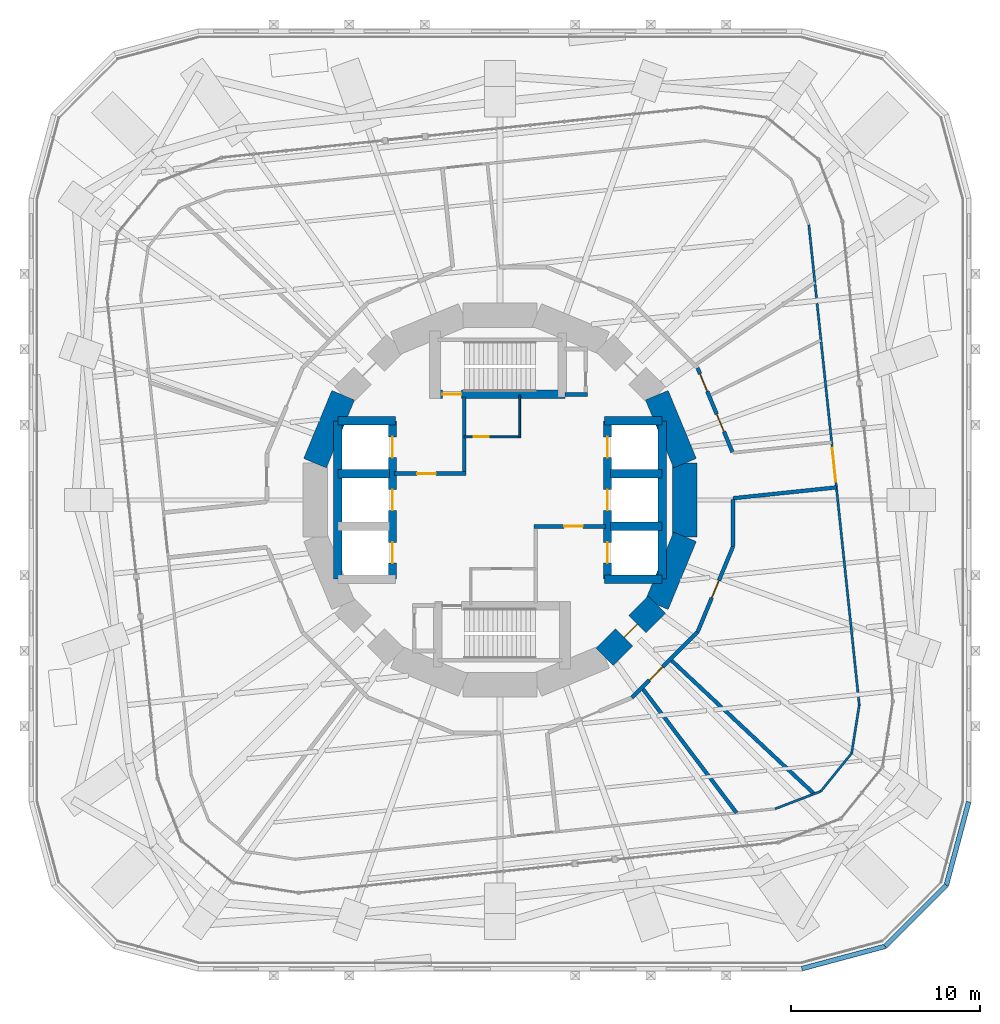
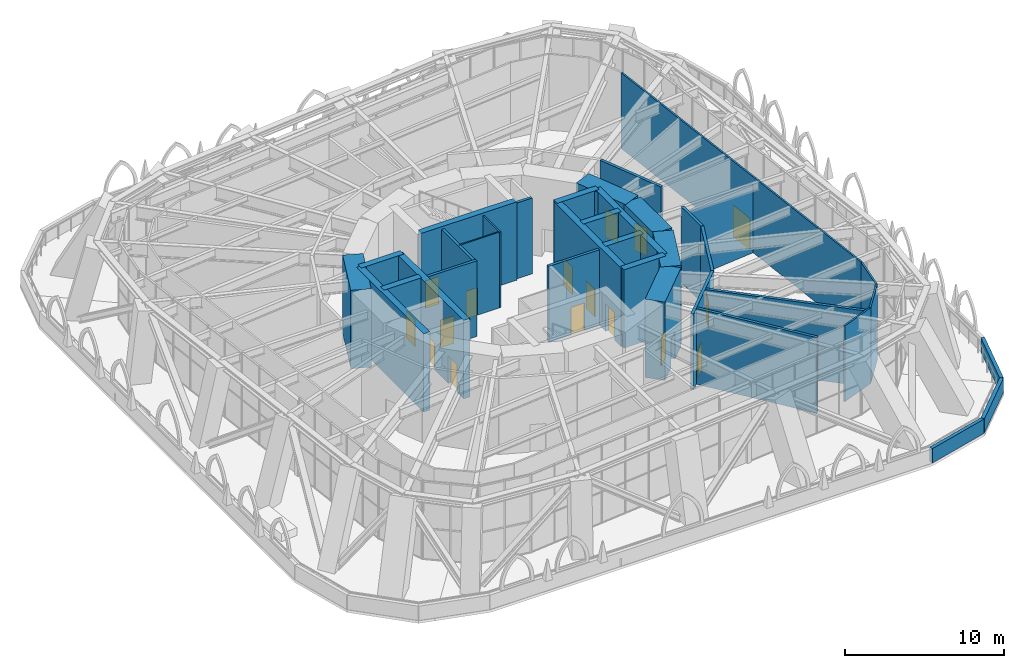
# One storey, part 16 of 20: 36 walls, 16 doors, 16 openings.
"""IFC4 building model written with IfcOpenShell, lengths in metres."""

from ifc_helpers import new_model, si_unit, direction, frame, frame_2d, origin, place, context, subcontext, project, spatial, rectangle, extrude, material, layer, layer_set, type_object, element, fill, save


model = new_model("IFC4")

# Units and contexts
model_context = context("Model", 3, precision=1e-05, world=origin(), true_north=direction((0.0, 1.0)))
body_context = subcontext(model_context, "Body", "Model", "MODEL_VIEW")
ifc_project = project(units=[si_unit("LENGTHUNIT", "METRE"), si_unit("AREAUNIT", "SQUARE_METRE"), si_unit("VOLUMEUNIT", "CUBIC_METRE"), si_unit("PLANEANGLEUNIT", "RADIAN"), si_unit("MASSUNIT", "GRAM", prefix="KILO")], contexts=[model_context])

# Site, building, storey
site_placement = place(None, origin())
site = spatial("IfcSite", under=ifc_project, at=site_placement, CompositionType="ELEMENT")
building_placement = place(site_placement, origin())
building = spatial("IfcBuilding", under=site, at=building_placement, Name="Nakasero Lantern House", CompositionType="ELEMENT")
storey_placement = place(building_placement, frame((0.0, 0.0, 54.5)))
storey = spatial("IfcBuildingStorey", under=building, at=storey_placement, Name="L13", CompositionType="ELEMENT", Elevation=54.5)

# Wall, openings, doors
ifc_material_1 = material(Name="Concrete C50/60", Category="concrete")
ifc_layer_1 = layer(ifc_material_1, 0.449951171875)
ifc_layer_set_1 = layer_set([ifc_layer_1], Name="Core inner wall 450")
wall_type_1 = type_object("IfcWallType", Name="Core inner wall 450", PredefinedType="SHEAR", material=ifc_layer_set_1)
wall_1_placement = place(storey_placement, frame((-5.699951171875, -4.199951171875, 0.0), z_axis=(0.0, 0.0, 1.0), x_axis=(0.0, 1.0, 0.0)))
wall_1 = element("IfcWall", 1, at=wall_1_placement, inside=storey, type_object=wall_type_1, Name="Core inner wall L13 LW", PredefinedType="SHEAR", context=body_context, shape_type="SweptSolid", body=[
    extrude(rectangle(XDim=8.39990234375, YDim=0.449951171875, at=frame_2d((4.199951171875, 0.0))), origin(), (0.0, 0.0, 1.0), 6.0),
])
opening_1_placement = place(wall_1_placement, frame((0.85009765625, 0.0, 0.0)))
opening_1 = element("IfcOpeningElement", 2, at=opening_1_placement, cuts=wall_1, Name="Opening LD", PredefinedType="OPENING", context=body_context, shape_type="SweptSolid", body=[
    extrude(rectangle(XDim=1.10009765625, YDim=2.10009765625, at=frame_2d((0.550048828125, 1.050048828125))), frame((0.0, 0.244873046875, 0.0), z_axis=(0.0, -1.0, 0.0), x_axis=(1.0, 0.0, 0.0)), (0.0, 0.0, 1.0), 0.489990234375),
])
opening_2_placement = place(wall_1_placement, frame((3.64990234375, 0.0, 0.0)))
opening_2 = element("IfcOpeningElement", 3, at=opening_2_placement, cuts=wall_1, Name="Opening LD", PredefinedType="OPENING", context=body_context, shape_type="SweptSolid", body=[
    extrude(rectangle(XDim=1.10009765625, YDim=2.10009765625, at=frame_2d((0.550048828125, 1.050048828125))), frame((0.0, 0.244873046875, 0.0), z_axis=(0.0, -1.0, 0.0), x_axis=(1.0, 0.0, 0.0)), (0.0, 0.0, 1.0), 0.489990234375),
])
opening_3_placement = place(wall_1_placement, frame((6.449951171875, 0.0, 0.0)))
opening_3 = element("IfcOpeningElement", 4, at=opening_3_placement, cuts=wall_1, Name="Opening LD", PredefinedType="OPENING", context=body_context, shape_type="SweptSolid", body=[
    extrude(rectangle(XDim=1.10009765625, YDim=2.10009765625, at=frame_2d((0.550048828125, 1.050048828125))), frame((0.0, 0.244873046875, 0.0), z_axis=(0.0, -1.0, 0.0), x_axis=(1.0, 0.0, 0.0)), (0.0, 0.0, 1.0), 0.489990234375),
])
ifc_material_2 = material(Name="Steel S355", Category="steel")
door_type_1 = type_object("IfcDoorType", Name="Lift landing door E120 1100", OperationType="SLIDING_TO_LEFT", PredefinedType="DOOR", material=ifc_material_2)
door_1_placement = place(opening_1_placement, origin())
door_1 = element("IfcDoor", 5, at=door_1_placement, inside=storey, type_object=door_type_1, Name="Lift landing door LW1", OperationType="SLIDING_TO_LEFT", OverallHeight=2.10009765625, OverallWidth=1.10009765625, PredefinedType="DOOR", context=body_context, shape_type="SweptSolid", body=[
    extrude(rectangle(XDim=1.10009765625, YDim=2.10009765625, at=frame_2d((0.550048828125, 1.050048828125))), frame((0.0, 0.02490234375, 0.0), z_axis=(0.0, -1.0, 0.0), x_axis=(1.0, 0.0, 0.0)), (0.0, 0.0, 1.0), 0.050048828125),
])
fill(opening_1, door_1)
door_2_placement = place(opening_2_placement, origin())
door_2 = element("IfcDoor", 6, at=door_2_placement, inside=storey, type_object=door_type_1, Name="Lift landing door LW2", OperationType="SLIDING_TO_LEFT", OverallHeight=2.10009765625, OverallWidth=1.10009765625, PredefinedType="DOOR", context=body_context, shape_type="SweptSolid", body=[
    extrude(rectangle(XDim=1.10009765625, YDim=2.10009765625, at=frame_2d((0.550048828125, 1.050048828125))), frame((0.0, 0.02490234375, 0.0), z_axis=(0.0, -1.0, 0.0), x_axis=(1.0, 0.0, 0.0)), (0.0, 0.0, 1.0), 0.050048828125),
])
fill(opening_2, door_2)
door_3_placement = place(opening_3_placement, origin())
door_3 = element("IfcDoor", 7, at=door_3_placement, inside=storey, type_object=door_type_1, Name="Lift landing door LW3", OperationType="SLIDING_TO_LEFT", OverallHeight=2.10009765625, OverallWidth=1.10009765625, PredefinedType="DOOR", context=body_context, shape_type="SweptSolid", body=[
    extrude(rectangle(XDim=1.10009765625, YDim=2.10009765625, at=frame_2d((0.550048828125, 1.050048828125))), frame((0.0, 0.02490234375, 0.0), z_axis=(0.0, -1.0, 0.0), x_axis=(1.0, 0.0, 0.0)), (0.0, 0.0, 1.0), 0.050048828125),
])
fill(opening_3, door_3)

wall_2_placement = place(storey_placement, frame((5.699951171875, -4.199951171875, 0.0), z_axis=(0.0, 0.0, 1.0), x_axis=(0.0, 1.0, 0.0)))
wall_2 = element("IfcWall", 8, at=wall_2_placement, inside=storey, type_object=wall_type_1, Name="Core inner wall L13 LE", PredefinedType="SHEAR", context=body_context, shape_type="SweptSolid", body=[
    extrude(rectangle(XDim=8.39990234375, YDim=0.449951171875, at=frame_2d((4.199951171875, 0.0))), origin(), (0.0, 0.0, 1.0), 6.0),
])
opening_4_placement = place(wall_2_placement, frame((0.85009765625, 0.0, 0.0)))
opening_4 = element("IfcOpeningElement", 9, at=opening_4_placement, cuts=wall_2, Name="Opening LD", PredefinedType="OPENING", context=body_context, shape_type="SweptSolid", body=[
    extrude(rectangle(XDim=1.10009765625, YDim=2.10009765625, at=frame_2d((0.550048828125, 1.050048828125))), frame((0.0, 0.244873046875, 0.0), z_axis=(0.0, -1.0, 0.0), x_axis=(1.0, 0.0, 0.0)), (0.0, 0.0, 1.0), 0.489990234375),
])
opening_5_placement = place(wall_2_placement, frame((3.64990234375, 0.0, 0.0)))
opening_5 = element("IfcOpeningElement", 10, at=opening_5_placement, cuts=wall_2, Name="Opening LD", PredefinedType="OPENING", context=body_context, shape_type="SweptSolid", body=[
    extrude(rectangle(XDim=1.10009765625, YDim=2.10009765625, at=frame_2d((0.550048828125, 1.050048828125))), frame((0.0, 0.244873046875, 0.0), z_axis=(0.0, -1.0, 0.0), x_axis=(1.0, 0.0, 0.0)), (0.0, 0.0, 1.0), 0.489990234375),
])
opening_6_placement = place(wall_2_placement, frame((6.449951171875, 0.0, 0.0)))
opening_6 = element("IfcOpeningElement", 11, at=opening_6_placement, cuts=wall_2, Name="Opening LD", PredefinedType="OPENING", context=body_context, shape_type="SweptSolid", body=[
    extrude(rectangle(XDim=1.10009765625, YDim=2.10009765625, at=frame_2d((0.550048828125, 1.050048828125))), frame((0.0, 0.244873046875, 0.0), z_axis=(0.0, -1.0, 0.0), x_axis=(1.0, 0.0, 0.0)), (0.0, 0.0, 1.0), 0.489990234375),
])
door_4_placement = place(opening_4_placement, origin())
door_4 = element("IfcDoor", 12, at=door_4_placement, inside=storey, type_object=door_type_1, Name="Lift landing door LE1", OperationType="SLIDING_TO_LEFT", OverallHeight=2.10009765625, OverallWidth=1.10009765625, PredefinedType="DOOR", context=body_context, shape_type="SweptSolid", body=[
    extrude(rectangle(XDim=1.10009765625, YDim=2.10009765625, at=frame_2d((0.550048828125, 1.050048828125))), frame((0.0, 0.02490234375, 0.0), z_axis=(0.0, -1.0, 0.0), x_axis=(1.0, 0.0, 0.0)), (0.0, 0.0, 1.0), 0.050048828125),
])
fill(opening_4, door_4)
door_5_placement = place(opening_5_placement, origin())
door_5 = element("IfcDoor", 13, at=door_5_placement, inside=storey, type_object=door_type_1, Name="Lift landing door LE2", OperationType="SLIDING_TO_LEFT", OverallHeight=2.10009765625, OverallWidth=1.10009765625, PredefinedType="DOOR", context=body_context, shape_type="SweptSolid", body=[
    extrude(rectangle(XDim=1.10009765625, YDim=2.10009765625, at=frame_2d((0.550048828125, 1.050048828125))), frame((0.0, 0.02490234375, 0.0), z_axis=(0.0, -1.0, 0.0), x_axis=(1.0, 0.0, 0.0)), (0.0, 0.0, 1.0), 0.050048828125),
])
fill(opening_5, door_5)
door_6_placement = place(opening_6_placement, origin())
door_6 = element("IfcDoor", 14, at=door_6_placement, inside=storey, type_object=door_type_1, Name="Lift landing door LE3", OperationType="SLIDING_TO_LEFT", OverallHeight=2.10009765625, OverallWidth=1.10009765625, PredefinedType="DOOR", context=body_context, shape_type="SweptSolid", body=[
    extrude(rectangle(XDim=1.10009765625, YDim=2.10009765625, at=frame_2d((0.550048828125, 1.050048828125))), frame((0.0, 0.02490234375, 0.0), z_axis=(0.0, -1.0, 0.0), x_axis=(1.0, 0.0, 0.0)), (0.0, 0.0, 1.0), 0.050048828125),
])
fill(opening_6, door_6)

# Walls
for number, where, z_axis, x_axis, name in (
    (15, (-8.60009765625, 4.199951171875, 0.0), (0.0, 0.0, 1.0), (1.0, 0.0, 0.0), "Core inner wall L13 LWN"),
    (16, (5.550048828125, 4.199951171875, 0.0), (0.0, 0.0, 1.0), (1.0, 0.0, 0.0), "Core inner wall L13 LEN"),
    (17, (5.550048828125, -4.199951171875, 0.0), (0.0, 0.0, 1.0), (1.0, 0.0, 0.0), "Core inner wall L13 LES"),
):
    element("IfcWall", number, at=place(storey_placement, frame(where, z_axis=z_axis, x_axis=x_axis)), inside=storey, type_object=wall_type_1, Name=name, PredefinedType="SHEAR", context=body_context, shape_type="SweptSolid", body=[
        extrude(rectangle(XDim=3.050048828125, YDim=0.449951171875, at=frame_2d((1.52490234375, 0.0))), origin(), (0.0, 0.0, 1.0), 6.0),
    ])
for number, where, z_axis, x_axis, name in (
    (18, (-8.60009765625, -4.199951171875, 0.0), (0.0, 0.0, 1.0), (0.0, 1.0, 0.0), "Core inner wall L13 LWB"),
    (19, (8.60009765625, -4.199951171875, 0.0), (0.0, 0.0, 1.0), (0.0, 1.0, 0.0), "Core inner wall L13 LEB"),
):
    element("IfcWall", number, at=place(storey_placement, frame(where, z_axis=z_axis, x_axis=x_axis)), inside=storey, type_object=wall_type_1, Name=name, PredefinedType="SHEAR", context=body_context, shape_type="SweptSolid", body=[
        extrude(rectangle(XDim=8.39990234375, YDim=0.449951171875, at=frame_2d((4.199951171875, 0.0))), origin(), (0.0, 0.0, 1.0), 6.0),
    ])
for number, where, z_axis, x_axis, name in (
    (20, (-8.60009765625, 1.39990234375, 0.0), (0.0, 0.0, 1.0), (1.0, 0.0, 0.0), "Core inner wall L13 LW2"),
    (21, (5.85009765625, -1.39990234375, 0.0), (0.0, 0.0, 1.0), (1.0, 0.0, 0.0), "Core inner wall L13 LE1"),
    (22, (5.85009765625, 1.39990234375, 0.0), (0.0, 0.0, 1.0), (1.0, 0.0, 0.0), "Core inner wall L13 LE2"),
):
    element("IfcWall", number, at=place(storey_placement, frame(where, z_axis=z_axis, x_axis=x_axis)), inside=storey, type_object=wall_type_1, Name=name, PredefinedType="SHEAR", context=body_context, shape_type="SweptSolid", body=[
        extrude(rectangle(XDim=2.75, YDim=0.449951171875, at=frame_2d((1.375, 0.0))), origin(), (0.0, 0.0, 1.0), 6.0),
    ])

# Wall, opening, door
wall_3_placement = place(storey_placement, frame((-3.449951171875, 5.60009765625, 0.0), z_axis=(0.0, 0.0, 1.0), x_axis=(1.0, 0.0, 0.0)))
wall_3 = element("IfcWall", 23, at=wall_3_placement, inside=storey, type_object=wall_type_1, Name="Core inner wall L13 SN", PredefinedType="SHEAR", context=body_context, shape_type="SweptSolid", body=[
    extrude(rectangle(XDim=6.89990234375, YDim=0.449951171875, at=frame_2d((3.449951171875, 0.0))), origin(), (0.0, 0.0, 1.0), 6.0),
])
opening_7_placement = place(wall_3_placement, frame((0.39990234375, 0.0, 0.0)))
opening_7 = element("IfcOpeningElement", 24, at=opening_7_placement, cuts=wall_3, Name="Opening D05", PredefinedType="OPENING", context=body_context, shape_type="SweptSolid", body=[
    extrude(rectangle(XDim=1.0, YDim=2.10009765625, at=frame_2d((0.5, 1.050048828125))), frame((0.0, 0.244873046875, 0.0), z_axis=(0.0, -1.0, 0.0), x_axis=(1.0, 0.0, 0.0)), (0.0, 0.0, 1.0), 0.489990234375),
])
ifc_material_3 = material(Name="Timber C24", Category="wood")
door_type_2 = type_object("IfcDoorType", Name="Core door FD60S 1000", OperationType="SINGLE_SWING_LEFT", PredefinedType="DOOR", material=ifc_material_3)
door_7_placement = place(opening_7_placement, origin())
door_7 = element("IfcDoor", 25, at=door_7_placement, inside=storey, type_object=door_type_2, Name="Door L13 D-ST1", OperationType="SINGLE_SWING_LEFT", OverallHeight=2.10009765625, OverallWidth=1.0, PredefinedType="DOOR", context=body_context, shape_type="SweptSolid", body=[
    extrude(rectangle(XDim=1.0, YDim=2.10009765625, at=frame_2d((0.5, 1.050048828125))), frame((0.0, 0.02490234375, 0.0), z_axis=(0.0, -1.0, 0.0), x_axis=(1.0, 0.0, 0.0)), (0.0, 0.0, 1.0), 0.050048828125),
])
fill(opening_7, door_7)

ifc_material_4 = material(Name="Blockwork", Category="masonry")
ifc_layer_2 = layer(ifc_material_4, 0.10009765625)
ifc_layer_set_2 = layer_set([ifc_layer_2], Name="Core room wall 100")
wall_type_2 = type_object("IfcWallType", Name="Core room wall 100", PredefinedType="PARTITIONING", material=ifc_layer_set_2)
wall_4_placement = place(storey_placement, frame((-1.89990234375, 3.35009765625, 0.0), z_axis=(0.0, 0.0, 1.0), x_axis=(1.0, 0.0, 0.0)))
wall_4 = element("IfcWall", 26, at=wall_4_placement, inside=storey, type_object=wall_type_2, Name="Core room wall L13 CR-NES", PredefinedType="PARTITIONING", context=body_context, shape_type="SweptSolid", body=[
    extrude(rectangle(XDim=3.0, YDim=0.10009765625, at=frame_2d((1.5, 0.0))), origin(), (0.0, 0.0, 1.0), 5.800048828125),
])
opening_8_placement = place(wall_4_placement, frame((0.5, 0.0, 0.0)))
opening_8 = element("IfcOpeningElement", 27, at=opening_8_placement, cuts=wall_4, Name="Opening D15", PredefinedType="OPENING", context=body_context, shape_type="SweptSolid", body=[
    extrude(rectangle(XDim=0.800048828125, YDim=2.10009765625, at=frame_2d((0.39990234375, 1.050048828125))), frame((0.0, 0.070068359375, 0.0), z_axis=(0.0, -1.0, 0.0), x_axis=(1.0, 0.0, 0.0)), (0.0, 0.0, 1.0), 0.14013671875),
])
ifc_material_5 = material(Name="Timber C24", Category="wood")
door_type_3 = type_object("IfcDoorType", Name="Cleaner's store door FD30S 800", OperationType="SINGLE_SWING_LEFT", PredefinedType="DOOR", material=ifc_material_5)
door_8_placement = place(opening_8_placement, origin())
door_8 = element("IfcDoor", 28, at=door_8_placement, inside=storey, type_object=door_type_3, Name="Door L13 D-CR-NE", OperationType="SINGLE_SWING_LEFT", OverallHeight=2.10009765625, OverallWidth=0.800048828125, PredefinedType="DOOR", context=body_context, shape_type="SweptSolid", body=[
    extrude(rectangle(XDim=0.800048828125, YDim=2.10009765625, at=frame_2d((0.39990234375, 1.050048828125))), frame((0.0, 0.02490234375, 0.0), z_axis=(0.0, -1.0, 0.0), x_axis=(1.0, 0.0, 0.0)), (0.0, 0.0, 1.0), 0.050048828125),
])
fill(opening_8, door_8)

# Walls
wall_5_placement = place(storey_placement, frame((1.050048828125, 3.300048828125, 0.0), z_axis=(0.0, 0.0, 1.0), x_axis=(0.0, 1.0, 0.0)))
element("IfcWall", 29, at=wall_5_placement, inside=storey, type_object=wall_type_2, Name="Core room wall L13 CR-NEE", PredefinedType="PARTITIONING", context=body_context, shape_type="SweptSolid", body=[
    extrude(rectangle(XDim=2.25, YDim=0.10009765625, at=frame_2d((1.125, 0.0))), origin(), (0.0, 0.0, 1.0), 5.800048828125),
])
ifc_material_6 = material(Name="Concrete C50/60", Category="concrete")
ifc_layer_3 = layer(ifc_material_6, 1.300048828125)
ifc_layer_set_3 = layer_set([ifc_layer_3], Name="Core wall 1300")
wall_type_3 = type_object("IfcWallType", Name="Core wall 1300", PredefinedType="SHEAR", material=ifc_layer_set_3)
for number, where, z_axis, x_axis, name in (
    (30, (9.807861328125, 1.950927734375, 0.0), (0.0, 0.0, 1.0), (-0.382690736062, 0.923876507187, 0.0), "Core wall L13 facet 1"),
    (31, (-8.314697265625, 5.5556640625, 0.0), (0.0, 0.0, 1.0), (-0.382690736062, -0.923876507187, 0.0), "Core wall L13 facet 7"),
):
    element("IfcWall", number, at=place(storey_placement, frame(where, z_axis=z_axis, x_axis=x_axis)), inside=storey, type_object=wall_type_3, Name=name, PredefinedType="SHEAR", context=body_context, shape_type="SweptSolid", body=[
        extrude(rectangle(XDim=3.90185546875, YDim=1.300048828125, at=frame_2d((1.950927734375, 0.0))), origin(), (0.0, 0.0, 1.0), 6.0),
    ])

# Wall, opening, door
wall_6_placement = place(storey_placement, frame((5.5556640625, -8.314697265625, 0.0), z_axis=(0.0, 0.0, 1.0), x_axis=(0.707106781187, 0.707106781187, 0.0)))
wall_6 = element("IfcWall", 32, at=wall_6_placement, inside=storey, type_object=wall_type_3, Name="Core wall L13 facet 14", PredefinedType="SHEAR", context=body_context, shape_type="SweptSolid", body=[
    extrude(rectangle(XDim=3.90185546875, YDim=1.300048828125, at=frame_2d((1.950927734375, 0.0))), origin(), (0.0, 0.0, 1.0), 6.0),
])
opening_9_placement = place(wall_6_placement, frame((1.450927734375, 0.0, 0.0)))
opening_9 = element("IfcOpeningElement", 33, at=opening_9_placement, cuts=wall_6, Name="Opening D05", PredefinedType="OPENING", context=body_context, shape_type="SweptSolid", body=[
    extrude(rectangle(XDim=1.0, YDim=2.10009765625, at=frame_2d((0.5, 1.050048828125))), frame((0.0, 0.669921875, 0.0), z_axis=(0.0, -1.0, 0.0), x_axis=(1.0, 0.0, 0.0)), (0.0, 0.0, 1.0), 1.340087890625),
])
door_9_placement = place(opening_9_placement, origin())
door_9 = element("IfcDoor", 34, at=door_9_placement, inside=storey, type_object=door_type_2, Name="Door L13 D-CORE14", OperationType="SINGLE_SWING_LEFT", OverallHeight=2.10009765625, OverallWidth=1.0, PredefinedType="DOOR", context=body_context, shape_type="SweptSolid", body=[
    extrude(rectangle(XDim=1.0, YDim=2.10009765625, at=frame_2d((0.5, 1.050048828125))), frame((0.0, 0.02490234375, 0.0), z_axis=(0.0, -1.0, 0.0), x_axis=(1.0, 0.0, 0.0)), (0.0, 0.0, 1.0), 0.050048828125),
])
fill(opening_9, door_9)

# Walls
for number, where, z_axis, x_axis, name in (
    (35, (8.314697265625, -5.5556640625, 0.0), (0.0, 0.0, 1.0), (0.382690736062, 0.923876507187, 0.0), "Core wall L13 facet 15"),
    (36, (9.807861328125, -1.950927734375, 0.0), (0.0, 0.0, 1.0), (0.0, 1.0, 0.0), "Core wall L13 facet 16"),
):
    element("IfcWall", number, at=place(storey_placement, frame(where, z_axis=z_axis, x_axis=x_axis)), inside=storey, type_object=wall_type_3, Name=name, PredefinedType="SHEAR", context=body_context, shape_type="SweptSolid", body=[
        extrude(rectangle(XDim=3.90185546875, YDim=1.300048828125, at=frame_2d((1.950927734375, 0.0))), origin(), (0.0, 0.0, 1.0), 6.0),
    ])
ifc_material_7 = material(Name="Blockwork", Category="masonry")
ifc_layer_4 = layer(ifc_material_7, 0.199951171875)
ifc_layer_set_4 = layer_set([ifc_layer_4], Name="Corridor wall 200")
wall_type_4 = type_object("IfcWallType", Name="Corridor wall 200", PredefinedType="PARTITIONING", material=ifc_layer_set_4)
wall_7_placement = place(storey_placement, frame((12.35791015625, 0.016845703125, 0.0), z_axis=(0.0, 0.0, 1.0), x_axis=(0.0, -1.0, 0.0)))
element("IfcWall", 37, at=wall_7_placement, inside=storey, type_object=wall_type_4, Name="Corridor wall L13 TC00", PredefinedType="PARTITIONING", context=body_context, shape_type="SweptSolid", body=[
    extrude(rectangle(XDim=2.474853515625, YDim=0.199951171875, at=frame_2d((1.2373046875, 0.0))), origin(), (0.0, 0.0, 1.0), 5.800048828125),
])

# Wall, opening, door
wall_8_placement = place(storey_placement, frame((12.35791015625, -2.4580078125, 0.0), z_axis=(0.0, 0.0, 1.0), x_axis=(-0.382664641492, -0.923887315722, 0.0)))
wall_8 = element("IfcWall", 38, at=wall_8_placement, inside=storey, type_object=wall_type_4, Name="Corridor wall L13 TC01", PredefinedType="PARTITIONING", context=body_context, shape_type="SweptSolid", body=[
    extrude(rectangle(XDim=4.91650390625, YDim=0.199951171875, at=frame_2d((2.458251953125, 0.0))), origin(), (0.0, 0.0, 1.0), 5.800048828125),
])
opening_10_placement = place(wall_8_placement, frame((1.958251953125, 0.0, 0.0)))
opening_10 = element("IfcOpeningElement", 39, at=opening_10_placement, cuts=wall_8, Name="Opening D13", PredefinedType="OPENING", context=body_context, shape_type="SweptSolid", body=[
    extrude(rectangle(XDim=1.0, YDim=2.10009765625, at=frame_2d((0.5, 1.050048828125))), frame((0.0, 0.119873046875, 0.0), z_axis=(0.0, -1.0, 0.0), x_axis=(1.0, 0.0, 0.0)), (0.0, 0.0, 1.0), 0.239990234375),
])
ifc_material_8 = material(Name="Steel S355", Category="steel")
door_type_4 = type_object("IfcDoorType", Name="Plant room door FD60 1000", OperationType="SINGLE_SWING_LEFT", PredefinedType="DOOR", material=ifc_material_8)
door_10_placement = place(opening_10_placement, origin())
door_10 = element("IfcDoor", 40, at=door_10_placement, inside=storey, type_object=door_type_4, Name="Door L13 TDR32", OperationType="SINGLE_SWING_RIGHT", OverallHeight=2.10009765625, OverallWidth=1.0, PredefinedType="DOOR", context=body_context, shape_type="SweptSolid", body=[
    extrude(rectangle(XDim=1.0, YDim=2.10009765625, at=frame_2d((0.5, 1.050048828125))), frame((0.0, 0.02490234375, 0.0), z_axis=(0.0, -1.0, 0.0), x_axis=(1.0, 0.0, 0.0)), (0.0, 0.0, 1.0), 0.050048828125),
])
fill(opening_10, door_10)

wall_9_placement = place(storey_placement, frame((10.4765625, -7.000244140625, 0.0), z_axis=(0.0, 0.0, 1.0), x_axis=(-0.707106781187, -0.707106781187, 0.0)))
wall_9 = element("IfcWall", 41, at=wall_9_placement, inside=storey, type_object=wall_type_4, Name="Corridor wall L13 TC02", PredefinedType="PARTITIONING", context=body_context, shape_type="SweptSolid", body=[
    extrude(rectangle(XDim=4.916259765625, YDim=0.199951171875, at=frame_2d((2.4580078125, 0.0))), origin(), (0.0, 0.0, 1.0), 5.800048828125),
])
opening_11_placement = place(wall_9_placement, frame((2.610595703125, 0.0, 0.0)))
opening_11 = element("IfcOpeningElement", 42, at=opening_11_placement, cuts=wall_9, Name="Opening D07", PredefinedType="OPENING", context=body_context, shape_type="SweptSolid", body=[
    extrude(rectangle(XDim=1.0, YDim=2.10009765625, at=frame_2d((0.5, 1.050048828125))), frame((0.0, 0.119873046875, 0.0), z_axis=(0.0, -1.0, 0.0), x_axis=(1.0, 0.0, 0.0)), (0.0, 0.0, 1.0), 0.239990234375),
])
ifc_material_9 = material(Name="Timber C24", Category="wood")
door_type_5 = type_object("IfcDoorType", Name="Room door FD30S 1000", OperationType="SINGLE_SWING_LEFT", PredefinedType="DOOR", material=ifc_material_9)
door_11_placement = place(opening_11_placement, origin())
door_11 = element("IfcDoor", 43, at=door_11_placement, inside=storey, type_object=door_type_5, Name="Door L13 TDR31", OperationType="SINGLE_SWING_RIGHT", OverallHeight=2.10009765625, OverallWidth=1.0, PredefinedType="DOOR", context=body_context, shape_type="SweptSolid", body=[
    extrude(rectangle(XDim=1.0, YDim=2.10009765625, at=frame_2d((0.5, 1.050048828125))), frame((0.0, 0.02490234375, 0.0), z_axis=(0.0, -1.0, 0.0), x_axis=(1.0, 0.0, 0.0)), (0.0, 0.0, 1.0), 0.050048828125),
])
fill(opening_11, door_11)

# Wall, openings, doors
wall_10_placement = place(storey_placement, frame((10.4765625, 7.000244140625, 0.0), z_axis=(0.0, 0.0, 1.0), x_axis=(0.382685424758, -0.923878707233, 0.0)))
wall_10 = element("IfcWall", 44, at=wall_10_placement, inside=storey, type_object=wall_type_4, Name="Corridor wall L13 TC15", PredefinedType="PARTITIONING", context=body_context, shape_type="SweptSolid", body=[
    extrude(rectangle(XDim=4.82568359375, YDim=0.199951171875, at=frame_2d((2.412841796875, 0.0))), origin(), (0.0, 0.0, 1.0), 5.800048828125),
])
opening_12_placement = place(wall_10_placement, frame((2.658447265625, 0.0, 0.0)))
opening_12 = element("IfcOpeningElement", 45, at=opening_12_placement, cuts=wall_10, Name="Opening D07", PredefinedType="OPENING", context=body_context, shape_type="SweptSolid", body=[
    extrude(rectangle(XDim=1.0, YDim=2.10009765625, at=frame_2d((0.5, 1.050048828125))), frame((0.0, 0.119873046875, 0.0), z_axis=(0.0, -1.0, 0.0), x_axis=(1.0, 0.0, 0.0)), (0.0, 0.0, 1.0), 0.239990234375),
])
opening_13_placement = place(wall_10_placement, frame((0.33935546875, 0.0, 0.0)))
opening_13 = element("IfcOpeningElement", 46, at=opening_13_placement, cuts=wall_10, Name="Opening D07", PredefinedType="OPENING", context=body_context, shape_type="SweptSolid", body=[
    extrude(rectangle(XDim=1.0, YDim=2.10009765625, at=frame_2d((0.5, 1.050048828125))), frame((0.0, 0.119873046875, 0.0), z_axis=(0.0, -1.0, 0.0), x_axis=(1.0, 0.0, 0.0)), (0.0, 0.0, 1.0), 0.239990234375),
])
door_12_placement = place(opening_12_placement, origin())
door_12 = element("IfcDoor", 47, at=door_12_placement, inside=storey, type_object=door_type_5, Name="Door L13 TDR00", OperationType="SINGLE_SWING_RIGHT", OverallHeight=2.10009765625, OverallWidth=1.0, PredefinedType="DOOR", context=body_context, shape_type="SweptSolid", body=[
    extrude(rectangle(XDim=1.0, YDim=2.10009765625, at=frame_2d((0.5, 1.050048828125))), frame((0.0, 0.02490234375, 0.0), z_axis=(0.0, -1.0, 0.0), x_axis=(1.0, 0.0, 0.0)), (0.0, 0.0, 1.0), 0.050048828125),
])
fill(opening_12, door_12)
door_13_placement = place(opening_13_placement, origin())
door_13 = element("IfcDoor", 48, at=door_13_placement, inside=storey, type_object=door_type_5, Name="Door L13 TDR01", OperationType="SINGLE_SWING_LEFT", OverallHeight=2.10009765625, OverallWidth=1.0, PredefinedType="DOOR", context=body_context, shape_type="SweptSolid", body=[
    extrude(rectangle(XDim=1.0, YDim=2.10009765625, at=frame_2d((0.5, 1.050048828125))), frame((0.0, 0.02490234375, 0.0), z_axis=(0.0, -1.0, 0.0), x_axis=(1.0, 0.0, 0.0)), (0.0, 0.0, 1.0), 0.050048828125),
])
fill(opening_13, door_13)

# Wall, opening, door
ifc_material_10 = material(Name="Blockwork", Category="masonry")
ifc_layer_5 = layer(ifc_material_10, 0.199951171875)
ifc_layer_set_5 = layer_set([ifc_layer_5], Name="Fire lobby wall 200")
wall_type_5 = type_object("IfcWallType", Name="Fire lobby wall 200", PredefinedType="PARTITIONING", material=ifc_layer_set_5)
wall_11_placement = place(storey_placement, frame((-5.60009765625, 1.39990234375, 0.0), z_axis=(0.0, 0.0, 1.0), x_axis=(1.0, 0.0, 0.0)))
wall_11 = element("IfcWall", 49, at=wall_11_placement, inside=storey, type_object=wall_type_5, Name="Fire lobby wall L13 W-FL1S", PredefinedType="PARTITIONING", context=body_context, shape_type="SweptSolid", body=[
    extrude(rectangle(XDim=3.800048828125, YDim=0.199951171875, at=frame_2d((1.89990234375, 0.0))), origin(), (0.0, 0.0, 1.0), 5.800048828125),
])
opening_14_placement = place(wall_11_placement, frame((1.199951171875, 0.0, 0.0)))
opening_14 = element("IfcOpeningElement", 50, at=opening_14_placement, cuts=wall_11, Name="Opening D05", PredefinedType="OPENING", context=body_context, shape_type="SweptSolid", body=[
    extrude(rectangle(XDim=1.0, YDim=2.10009765625, at=frame_2d((0.5, 1.050048828125))), frame((0.0, 0.119873046875, 0.0), z_axis=(0.0, -1.0, 0.0), x_axis=(1.0, 0.0, 0.0)), (0.0, 0.0, 1.0), 0.239990234375),
])
door_14_placement = place(opening_14_placement, origin())
door_14 = element("IfcDoor", 51, at=door_14_placement, inside=storey, type_object=door_type_2, Name="Door L13 D-FL1", OperationType="SINGLE_SWING_LEFT", OverallHeight=2.10009765625, OverallWidth=1.0, PredefinedType="DOOR", context=body_context, shape_type="SweptSolid", body=[
    extrude(rectangle(XDim=1.0, YDim=2.10009765625, at=frame_2d((0.5, 1.050048828125))), frame((0.0, 0.02490234375, 0.0), z_axis=(0.0, -1.0, 0.0), x_axis=(1.0, 0.0, 0.0)), (0.0, 0.0, 1.0), 0.050048828125),
])
fill(opening_14, door_14)

# Wall
wall_12_placement = place(storey_placement, frame((-1.89990234375, 1.5, 0.0), z_axis=(0.0, 0.0, 1.0), x_axis=(0.0, 1.0, 0.0)))
element("IfcWall", 52, at=wall_12_placement, inside=storey, type_object=wall_type_5, Name="Fire lobby wall L13 W-FL1E", PredefinedType="PARTITIONING", context=body_context, shape_type="SweptSolid", body=[
    extrude(rectangle(XDim=3.949951171875, YDim=0.199951171875, at=frame_2d((1.97509765625, 0.0))), origin(), (0.0, 0.0, 1.0), 5.800048828125),
])

# Wall, opening, door
wall_13_placement = place(storey_placement, frame((5.60009765625, -1.39990234375, 0.0), z_axis=(0.0, 0.0, 1.0), x_axis=(-1.0, 0.0, 0.0)))
wall_13 = element("IfcWall", 53, at=wall_13_placement, inside=storey, type_object=wall_type_5, Name="Fire lobby wall L13 W-FL2N", PredefinedType="PARTITIONING", context=body_context, shape_type="SweptSolid", body=[
    extrude(rectangle(XDim=3.800048828125, YDim=0.199951171875, at=frame_2d((1.89990234375, 0.0))), origin(), (0.0, 0.0, 1.0), 5.800048828125),
])
opening_15_placement = place(wall_13_placement, frame((1.199951171875, 0.0, 0.0)))
opening_15 = element("IfcOpeningElement", 54, at=opening_15_placement, cuts=wall_13, Name="Opening D05", PredefinedType="OPENING", context=body_context, shape_type="SweptSolid", body=[
    extrude(rectangle(XDim=1.0, YDim=2.10009765625, at=frame_2d((0.5, 1.050048828125))), frame((0.0, 0.119873046875, 0.0), z_axis=(0.0, -1.0, 0.0), x_axis=(1.0, 0.0, 0.0)), (0.0, 0.0, 1.0), 0.239990234375),
])
door_15_placement = place(opening_15_placement, origin())
door_15 = element("IfcDoor", 55, at=door_15_placement, inside=storey, type_object=door_type_2, Name="Door L13 D-FL2", OperationType="SINGLE_SWING_LEFT", OverallHeight=2.10009765625, OverallWidth=1.0, PredefinedType="DOOR", context=body_context, shape_type="SweptSolid", body=[
    extrude(rectangle(XDim=1.0, YDim=2.10009765625, at=frame_2d((0.5, 1.050048828125))), frame((0.0, 0.02490234375, 0.0), z_axis=(0.0, -1.0, 0.0), x_axis=(1.0, 0.0, 0.0)), (0.0, 0.0, 1.0), 0.050048828125),
])
fill(opening_15, door_15)

# Walls
wall_14_placement = place(storey_placement, frame((3.449951171875, 5.60009765625, 0.0), z_axis=(0.0, 0.0, 1.0), x_axis=(1.0, 0.0, 0.0)))
element("IfcWall", 56, at=wall_14_placement, inside=storey, type_object=wall_type_5, Name="Fire lobby wall L13 W-RS1S", PredefinedType="PARTITIONING", context=body_context, shape_type="SweptSolid", body=[
    extrude(rectangle(XDim=1.199951171875, YDim=0.199951171875, at=frame_2d((0.60009765625, 0.0))), origin(), (0.0, 0.0, 1.0), 5.800048828125),
])
wall_15_placement = place(storey_placement, frame((7.524658203125, -9.9521484375, 0.0), z_axis=(0.0, 0.0, 1.0), x_axis=(0.603089603918, -0.797673448001, 0.0)))
element("IfcWall", 57, at=wall_15_placement, inside=storey, type_object=wall_type_5, Name="Fire lobby wall L13 TD30", PredefinedType="PARTITIONING", context=body_context, shape_type="SweptSolid", body=[
    extrude(rectangle(XDim=8.31982421875, YDim=0.199951171875, at=frame_2d((4.159912109375, 0.0))), origin(), (0.0, 0.0, 1.0), 5.800048828125),
])
wall_16_placement = place(storey_placement, frame((9.029541015625, -8.447021484375, 0.0), z_axis=(0.0, 0.0, 1.0), x_axis=(0.730280443475, -0.683147475936, 0.0)))
element("IfcWall", 58, at=wall_16_placement, inside=storey, type_object=wall_type_5, Name="Fire lobby wall L13 TD31", PredefinedType="PARTITIONING", context=body_context, shape_type="SweptSolid", body=[
    extrude(rectangle(XDim=10.442626953125, YDim=0.199951171875, at=frame_2d((5.22119140625, 0.0))), origin(), (0.0, 0.0, 1.0), 5.800048828125),
])
wall_17_placement = place(storey_placement, frame((12.35791015625, 0.09228515625, 0.0), z_axis=(0.0, 0.0, 1.0), x_axis=(0.994520255807, 0.10454406147, 0.0)))
element("IfcWall", 59, at=wall_17_placement, inside=storey, type_object=wall_type_5, Name="Fire lobby wall L13 TP0R", PredefinedType="PARTITIONING", context=body_context, shape_type="SweptSolid", body=[
    extrude(rectangle(XDim=5.509033203125, YDim=0.199951171875, at=frame_2d((2.75439453125, 0.0))), origin(), (0.0, 0.0, 1.0), 5.187744140625),
])

# Wall, opening, door
ifc_material_11 = material(Name="Aluminium 6063-T6 and glass", Category="aluminium")
ifc_layer_6 = layer(ifc_material_11, 0.1201171875)
ifc_layer_set_6 = layer_set([ifc_layer_6], Name="Glazed screen 120")
wall_type_6 = type_object("IfcWallType", Name="Glazed screen 120", PredefinedType="PARTITIONING", material=ifc_layer_set_6)
wall_18_placement = place(storey_placement, frame((19.049072265625, -10.868408203125, 0.0), z_axis=(0.0, 0.0, 1.0), x_axis=(-0.104522945535, 0.99452247529, 0.0)))
wall_18 = element("IfcWall", 60, at=wall_18_placement, inside=storey, type_object=wall_type_6, Name="Glazed screen L13 WG0S", PredefinedType="PARTITIONING", context=body_context, shape_type="SweptSolid", body=[
    extrude(rectangle(XDim=25.599853515625, YDim=0.1201171875, at=frame_2d((12.7998046875, 0.0))), origin(), (0.0, 0.0, 1.0), 5.800048828125),
])
opening_16_placement = place(wall_18_placement, frame((11.89990234375, 0.0, 0.0)))
opening_16 = element("IfcOpeningElement", 61, at=opening_16_placement, cuts=wall_18, Name="Opening D18", PredefinedType="OPENING", context=body_context, shape_type="SweptSolid", body=[
    extrude(rectangle(XDim=1.800048828125, YDim=2.39990234375, at=frame_2d((0.89990234375, 1.199951171875))), frame((0.0, 0.080078125, 0.0), z_axis=(0.0, -1.0, 0.0), x_axis=(1.0, 0.0, 0.0)), (0.0, 0.0, 1.0), 0.16015625),
])
ifc_material_12 = material(Name="Aluminium 6063-T6 and glass", Category="aluminium")
door_type_6 = type_object("IfcDoorType", Name="Glazed screen door 1800", OperationType="DOUBLE_DOOR_SINGLE_SWING", PredefinedType="DOOR", material=ifc_material_12)
door_16_placement = place(opening_16_placement, origin())
door_16 = element("IfcDoor", 62, at=door_16_placement, inside=storey, type_object=door_type_6, Name="Door L13 DW0", OperationType="DOUBLE_DOOR_SINGLE_SWING", OverallHeight=2.39990234375, OverallWidth=1.800048828125, PredefinedType="DOOR", context=body_context, shape_type="SweptSolid", body=[
    extrude(rectangle(XDim=1.800048828125, YDim=2.39990234375, at=frame_2d((0.89990234375, 1.199951171875))), frame((0.0, 0.02490234375, 0.0), z_axis=(0.0, -1.0, 0.0), x_axis=(1.0, 0.0, 0.0)), (0.0, 0.0, 1.0), 0.050048828125),
])
fill(opening_16, door_16)

# Walls
for number, where, z_axis, x_axis, name in (
    (63, (14.59130859375, -16.373291015625, 0.0), (0.0, 0.0, 1.0), (0.933580801605, 0.358366972356, 0.0), "Glazed screen L13 WG3C1"),
    (64, (17.011962890625, -15.444091796875, 0.0), (0.0, 0.0, 1.0), (0.629311995206, 0.777152760202, 0.0), "Glazed screen L13 WG3C2"),
    (65, (18.6435546875, -13.42919921875, 0.0), (0.0, 0.0, 1.0), (0.156407421826, 0.98769262344, 0.0), "Glazed screen L13 WG3C3"),
):
    element("IfcWall", number, at=place(storey_placement, frame(where, z_axis=z_axis, x_axis=x_axis)), inside=storey, type_object=wall_type_6, Name=name, PredefinedType="PARTITIONING", context=body_context, shape_type="SweptSolid", body=[
        extrude(rectangle(XDim=2.5927734375, YDim=0.1201171875, at=frame_2d((1.29638671875, 0.0))), origin(), (0.0, 0.0, 1.0), 5.800048828125),
    ])
ifc_material_13 = material(Name="Concrete C35/45", Category="concrete")
ifc_layer_7 = layer(ifc_material_13, 0.25)
ifc_layer_set_7 = layer_set([ifc_layer_7], Name="Parapet 250")
wall_type_7 = type_object("IfcWallType", Name="Parapet 250", PredefinedType="SOLIDWALL", material=ifc_layer_set_7)
for number, where, z_axis, x_axis, name in (
    (66, (16.0, -24.85009765625, 0.0), (0.0, 0.0, 1.0), (0.965920218567, 0.258839972501, 0.0), "Parapet L13 PP3C1"),
    (67, (20.425048828125, -23.664306640625, 0.0), (0.0, 0.0, 1.0), (0.707106781187, 0.707106781187, 0.0), "Parapet L13 PP3C2"),
    (68, (23.664306640625, -20.425048828125, 0.0), (0.0, 0.0, 1.0), (0.258839972501, 0.965920218567, 0.0), "Parapet L13 PP3C3"),
):
    element("IfcWall", number, at=place(storey_placement, frame(where, z_axis=z_axis, x_axis=x_axis)), inside=storey, type_object=wall_type_7, Name=name, PredefinedType="SOLIDWALL", context=body_context, shape_type="SweptSolid", body=[
        extrude(rectangle(XDim=4.5810546875, YDim=0.25, at=frame_2d((2.29052734375, 0.0))), origin(), (0.0, 0.0, 1.0), 1.10009765625),
    ])

save(model, "model.ifc")
